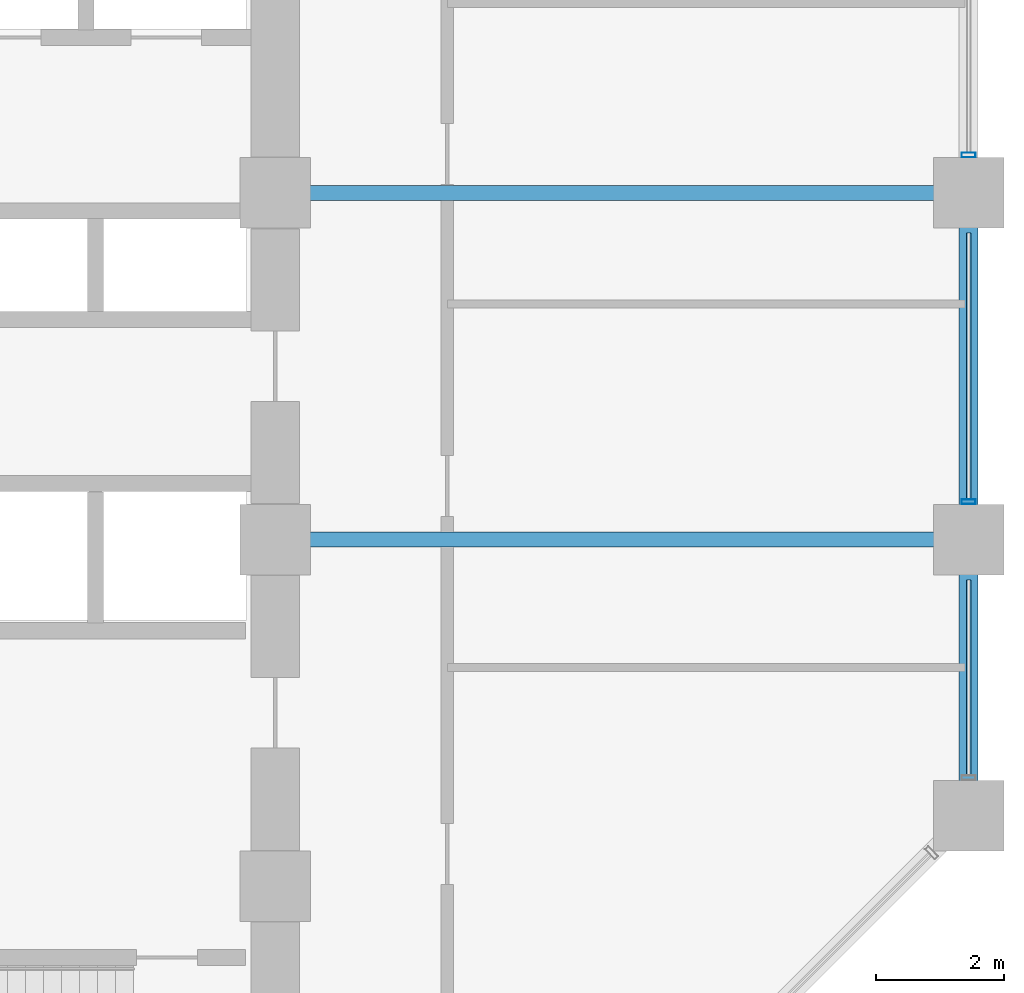
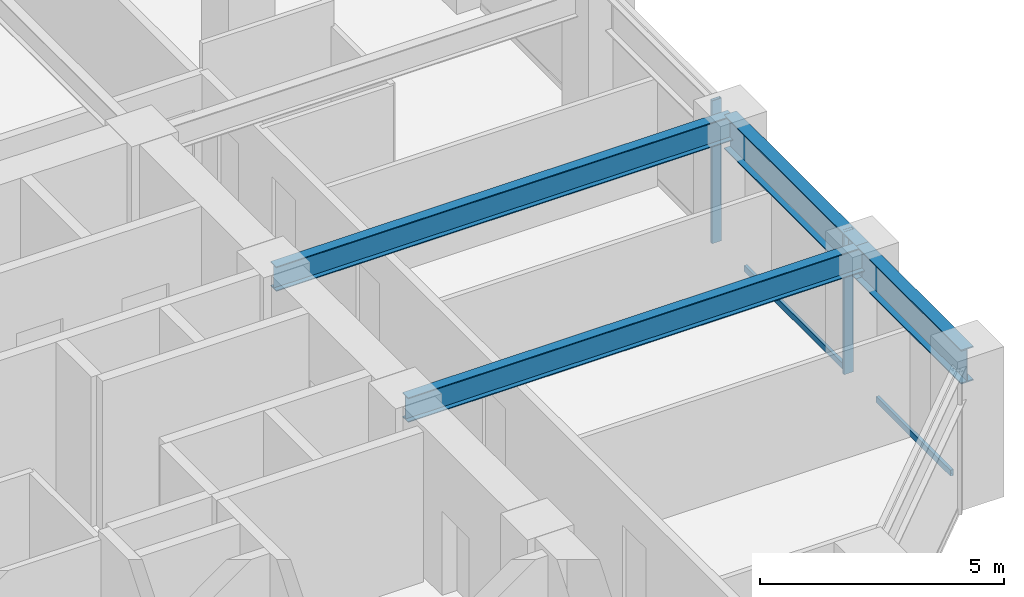
# One storey, part 9 of 25: 4 beams, 4 members, 1 element without a shape of its own.
"""IFC4 building model written with IfcOpenShell, lengths in metres."""

from ifc_helpers import new_model, si_unit, direction, frame, origin, origin_2d, place, context, subcontext, project, spatial, hollow_rectangle, i_section, extrude, material, layer, layer_set, material_profile, profile_set, type_object, element, aggregate, save


model = new_model("IFC4")

# Units and contexts
model_context = context("Model", 3, precision=1e-05, world=origin(), true_north=direction((0.0, 1.0)))
body_context = subcontext(model_context, "Body", "Model", "MODEL_VIEW")
ifc_project = project(units=[si_unit("LENGTHUNIT", "METRE"), si_unit("AREAUNIT", "SQUARE_METRE"), si_unit("VOLUMEUNIT", "CUBIC_METRE"), si_unit("PLANEANGLEUNIT", "RADIAN"), si_unit("MASSUNIT", "GRAM", prefix="KILO")], contexts=[model_context])

# Site, building, storey
site_placement = place(None, origin())
site = spatial("IfcSite", under=ifc_project, at=site_placement, CompositionType="ELEMENT")
building_placement = place(site_placement, origin())
building = spatial("IfcBuilding", under=site, at=building_placement, Name="Surkhivell Harbour Commons", CompositionType="ELEMENT")
storey_placement = place(building_placement, frame((0.0, 0.0, 120.75)))
storey = spatial("IfcBuildingStorey", under=building, at=storey_placement, Name="L31", CompositionType="ELEMENT", Elevation=120.75)

# Beams
ifc_material_1 = material(Name="Steel S355", Category="steel")
ifc_material_profile_1 = material_profile(ifc_material_1, i_section(OverallWidth=0.22998046875, OverallDepth=0.616943359375, WebThickness=0.01318359375, FlangeThickness=0.022216796875, at=origin_2d()), Name="UB610x229x140")
ifc_profile_set_1 = profile_set([ifc_material_profile_1], Name="Steel S355")
beam_type_1 = type_object("IfcBeamType", Name="BM-GRD-610B", PredefinedType="BEAM", material=ifc_profile_set_1)
for number, where, z_axis, x_axis, name in (
    (1, (10.800048828125, 0.0, 3.261474609375), (1.0, 0.0, 0.0), (0.0, 1.0, 0.0), "L31 Floor Girder (10.8,0.0)"),
    (2, (10.800048828125, 5.39990234375, 3.261474609375), (1.0, 0.0, 0.0), (0.0, 1.0, 0.0), "L31 Floor Girder (10.8,5.4)"),
):
    element("IfcBeam", number, at=place(storey_placement, frame(where, z_axis=z_axis, x_axis=x_axis)), inside=storey, type_object=beam_type_1, Name=name, PredefinedType="BEAM", context=body_context, shape_type="SweptSolid", body=[
        extrude(i_section(OverallWidth=0.22998046875, OverallDepth=0.616943359375, WebThickness=0.01318359375, FlangeThickness=0.022216796875, at=origin_2d()), origin(), (0.0, 0.0, 1.0), 10.800048828125),
    ])
ifc_material_2 = material(Name="Steel S460", Category="steel")
ifc_material_profile_2 = material_profile(ifc_material_2, i_section(OverallWidth=0.2939453125, OverallDepth=0.85107421875, WebThickness=0.01611328125, FlangeThickness=0.02685546875, at=origin_2d()), Name="UB838x292x226")
ifc_profile_set_2 = profile_set([ifc_material_profile_2], Name="Steel S460")
beam_type_2 = type_object("IfcBeamType", Name="BM-SPN-838", PredefinedType="SPANDREL", material=ifc_profile_set_2)
beam_1_placement = place(storey_placement, frame((21.60009765625, -4.300048828125, 3.14453125), z_axis=(0.0, 1.0, 0.0), x_axis=(-1.0, 0.0, 0.0)))
element("IfcBeam", 3, at=beam_1_placement, inside=storey, type_object=beam_type_2, Name="L31 Tube Spandrel (21.6,-4.3)", PredefinedType="SPANDREL", context=body_context, shape_type="SweptSolid", body=[
    extrude(i_section(OverallWidth=0.2939453125, OverallDepth=0.85107421875, WebThickness=0.01611328125, FlangeThickness=0.02685546875, at=origin_2d()), origin(), (0.0, 0.0, 1.0), 4.300048828125),
])
beam_2_placement = place(storey_placement, frame((21.60009765625, 0.0, 3.14453125), z_axis=(0.0, 1.0, 0.0), x_axis=(-1.0, 0.0, 0.0)))
element("IfcBeam", 4, at=beam_2_placement, inside=storey, type_object=beam_type_2, Name="L31 Tube Spandrel (21.6,0.0)", PredefinedType="SPANDREL", context=body_context, shape_type="SweptSolid", body=[
    extrude(i_section(OverallWidth=0.2939453125, OverallDepth=0.85107421875, WebThickness=0.01611328125, FlangeThickness=0.02685546875, at=origin_2d()), origin(), (0.0, 0.0, 1.0), 5.39990234375),
])

# Curtain wall, members
ifc_material_3 = material(Name="Anodised pale-metal aluminium and insulated glazing", Category="aluminium")
ifc_layer = layer(ifc_material_3, 0.205078125)
ifc_layer_set = layer_set([ifc_layer], Name="Anodised pale-metal aluminium and insulated glazing")
curtain_wall_type = type_object("IfcCurtainWallType", Name="CW-SYS-Z2", PredefinedType="NOTDEFINED", material=ifc_layer_set)
curtain_wall_placement = place(storey_placement, origin())
curtain_wall = element("IfcCurtainWall", 5, at=curtain_wall_placement, inside=storey, type_object=curtain_wall_type, Name="L31 Curtain Wall CW-L31-E02", PredefinedType="NOTDEFINED")
ifc_material_4 = material(Name="Anodised pale-metal aluminium alloy 6063-T6", Category="aluminium")
ifc_material_profile_3 = material_profile(ifc_material_4, hollow_rectangle(XDim=0.074951171875, YDim=0.219970703125, WallThickness=0.00390625, at=origin_2d()), Name="ALU-MULL-75x220")
ifc_profile_set_3 = profile_set([ifc_material_profile_3], Name="Anodised pale-metal aluminium alloy 6063-T6")
member_type_1 = type_object("IfcMemberType", Name="CWM-220", PredefinedType="MULLION", material=ifc_profile_set_3)
member_1_placement = place(storey_placement, frame((21.60009765625, 0.589599609375, 0.0), z_axis=(0.0, 0.0, 1.0), x_axis=(0.0, 1.0, 0.0)))
member_1 = element("IfcMember", 6, at=member_1_placement, type_object=member_type_1, Name="CW-Z2 mullion 2", PredefinedType="MULLION", context=body_context, shape_type="SweptSolid", body=[
    extrude(hollow_rectangle(XDim=0.074951171875, YDim=0.219970703125, WallThickness=0.00390625, at=origin_2d()), origin(), (0.0, 0.0, 1.0), 3.570068359375),
])
member_2_placement = place(storey_placement, frame((21.60009765625, 5.989501953125, 0.0), z_axis=(0.0, 0.0, 1.0), x_axis=(0.0, 1.0, 0.0)))
member_2 = element("IfcMember", 7, at=member_2_placement, type_object=member_type_1, Name="CW-Z2 mullion 3", PredefinedType="MULLION", context=body_context, shape_type="SweptSolid", body=[
    extrude(hollow_rectangle(XDim=0.074951171875, YDim=0.219970703125, WallThickness=0.00390625, at=origin_2d()), origin(), (0.0, 0.0, 1.0), 3.570068359375),
])
ifc_material_profile_4 = material_profile(ifc_material_4, hollow_rectangle(XDim=0.074951171875, YDim=0.14990234375, WallThickness=0.00341796875, at=origin_2d()), Name="ALU-TRAN-75x150")
ifc_profile_set_4 = profile_set([ifc_material_profile_4], Name="Anodised pale-metal aluminium alloy 6063-T6")
member_type_2 = type_object("IfcMemberType", Name="CWT-150", PredefinedType="USERDEFINED", material=ifc_profile_set_4)
member_3_placement = place(storey_placement, frame((21.60009765625, -3.673095703125, 0.074951171875), z_axis=(0.0, 1.0, 0.0), x_axis=(-1.0, 0.0, 0.0)))
member_3 = element("IfcMember", 8, at=member_3_placement, type_object=member_type_2, Name="CW-Z2 transom 1.1", ObjectType="TRANSOM", PredefinedType="USERDEFINED", context=body_context, shape_type="SweptSolid", body=[
    extrude(hollow_rectangle(XDim=0.074951171875, YDim=0.14990234375, WallThickness=0.00341796875, at=origin_2d()), origin(), (0.0, 0.0, 1.0), 3.046142578125),
])
member_4_placement = place(storey_placement, frame((21.60009765625, 0.626953125, 0.074951171875), z_axis=(0.0, 1.0, 0.0), x_axis=(-1.0, 0.0, 0.0)))
member_4 = element("IfcMember", 9, at=member_4_placement, type_object=member_type_2, Name="CW-Z2 transom 2.1", ObjectType="TRANSOM", PredefinedType="USERDEFINED", context=body_context, shape_type="SweptSolid", body=[
    extrude(hollow_rectangle(XDim=0.074951171875, YDim=0.14990234375, WallThickness=0.00341796875, at=origin_2d()), origin(), (0.0, 0.0, 1.0), 4.14599609375),
])
aggregate(curtain_wall, [member_3, member_1, member_4, member_2])

save(model, "model.ifc")
